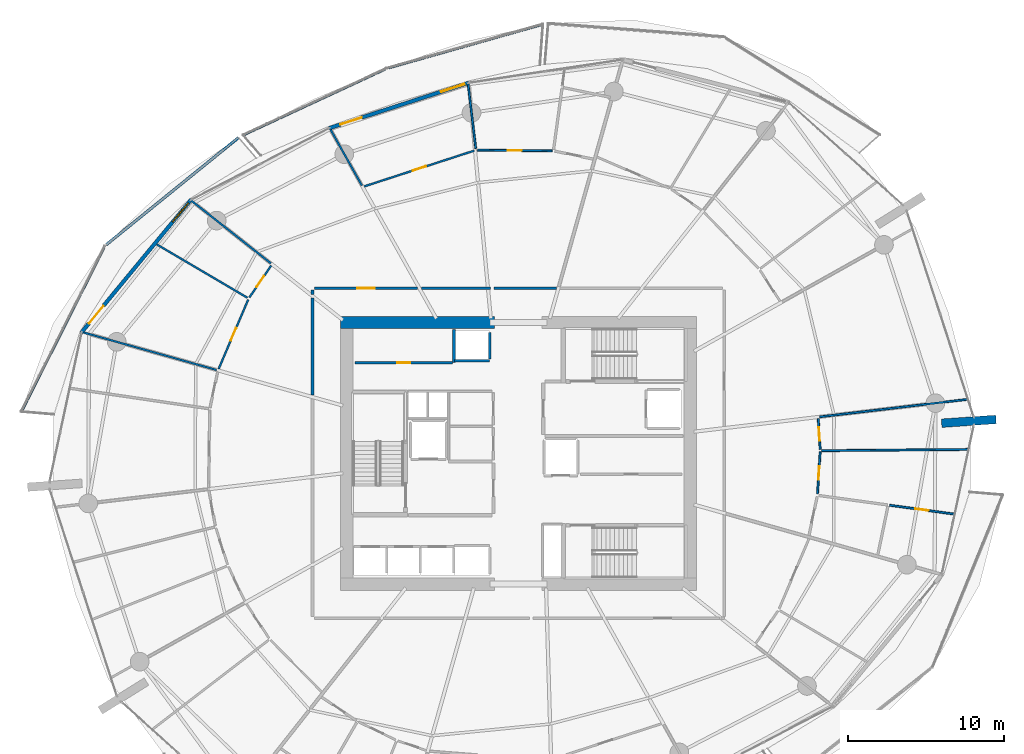
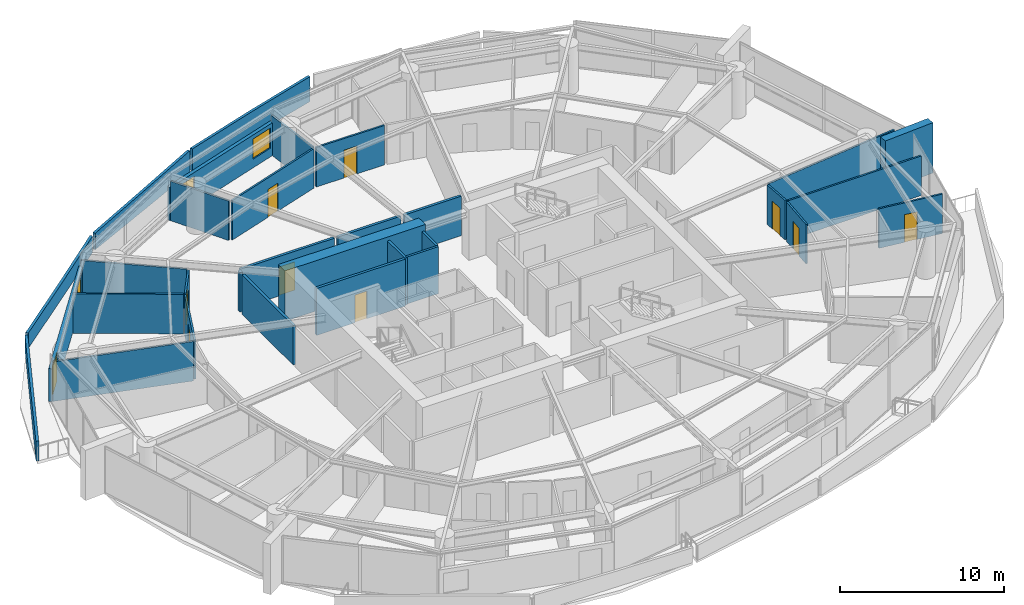
# One storey, part 14 of 22: 31 walls, 11 doors, 2 windows, 13 openings.
"""IFC4 building model written with IfcOpenShell, lengths in metres."""

from ifc_helpers import new_model, si_unit, direction, frame, frame_2d, origin, place, context, subcontext, project, spatial, polyline, rectangle, outline, extrude, material, layer, layer_set, type_object, element, fill, save


model = new_model("IFC4")

# Units and contexts
model_context = context("Model", 3, precision=1e-05, world=origin(), true_north=direction((0.0, 1.0)))
body_context = subcontext(model_context, "Body", "Model", "MODEL_VIEW")
ifc_project = project(units=[si_unit("LENGTHUNIT", "METRE"), si_unit("AREAUNIT", "SQUARE_METRE"), si_unit("VOLUMEUNIT", "CUBIC_METRE"), si_unit("PLANEANGLEUNIT", "RADIAN"), si_unit("MASSUNIT", "GRAM", prefix="KILO")], contexts=[model_context])

# Site, building, storey
site_placement = place(None, origin())
site = spatial("IfcSite", under=ifc_project, at=site_placement, CompositionType="ELEMENT")
building_placement = place(site_placement, origin())
building = spatial("IfcBuilding", under=site, at=building_placement, Name="Kazma Halo Residences", CompositionType="ELEMENT")
storey_placement = place(building_placement, frame((0.0, 0.0, 93.89990234375)))
storey = spatial("IfcBuildingStorey", under=building, at=storey_placement, Name="L23", CompositionType="ELEMENT", Elevation=93.89990234375)

# Walls
ifc_material_1 = material(Name="White Concrete C50/60 Balustrade", Category="concrete")
ifc_layer_1 = layer(ifc_material_1, 0.179931640625)
ifc_layer_set_1 = layer_set([ifc_layer_1], Name="White Concrete C50/60 Balustrade")
wall_type_1 = type_object("IfcWallType", Name="WL-BAL-WAVE-180", PredefinedType="PARAPET", material=ifc_layer_set_1)
wall_1_placement = place(storey_placement, frame((50.0, 69.56396484375, 0.0), z_axis=(0.0, 0.0, 1.0), x_axis=(-0.962322473133, -0.271910753195, 0.0)))
element("IfcWall", 1, at=wall_1_placement, inside=storey, type_object=wall_type_1, Name="L23 white wave balustrade wall NNW.1", PredefinedType="PARAPET", context=body_context, shape_type="SweptSolid", body=[
    extrude(outline(polyline([(0.0, 0.0), (10.3076171875, 0.0), (10.3076171875, 1.632080078125), (5.15380859375, 1.798095703125), (0.0, 1.860107421875), (0.0, 0.0)])), frame((0.0, 0.08984375, 0.0), z_axis=(0.0, -1.0, 0.0), x_axis=(1.0, 0.0, 0.0)), (0.0, 0.0, 1.0), 0.179931640625),
])
wall_2_placement = place(storey_placement, frame((39.8564453125, 66.67822265625, 0.0), z_axis=(0.0, 0.0, 1.0), x_axis=(-0.907065674135, -0.420989148086, 0.0)))
element("IfcWall", 2, at=wall_2_placement, inside=storey, type_object=wall_type_1, Name="L23 white wave balustrade wall NNW.2", PredefinedType="PARAPET", context=body_context, shape_type="SweptSolid", body=[
    extrude(outline(polyline([(0.0, 0.0), (10.041259765625, 0.0), (10.04150390625, 1.233154296875), (5.020751953125, 1.418212890625), (0.0, 1.632080078125), (0.0, 0.0)])), frame((0.0, 0.08984375, 0.0), z_axis=(0.0, -1.0, 0.0), x_axis=(1.0, 0.0, 0.0)), (0.0, 0.0, 1.0), 0.179931640625),
])
wall_3_placement = place(storey_placement, frame((30.458984375, 62.285400390625, 0.0), z_axis=(0.0, 0.0, 1.0), x_axis=(-0.777242274281, -0.629201436005, 0.0)))
element("IfcWall", 3, at=wall_3_placement, inside=storey, type_object=wall_type_1, Name="L23 white wave balustrade wall NW.1", PredefinedType="PARAPET", context=body_context, shape_type="SweptSolid", body=[
    extrude(outline(polyline([(0.0, 0.0), (10.94873046875, 0.0), (10.94873046875, 1.148193359375), (5.474365234375, 1.127197265625), (0.0, 1.22412109375), (0.0, 0.0)])), frame((0.0, 0.08984375, 0.0), z_axis=(0.0, -1.0, 0.0), x_axis=(1.0, 0.0, 0.0)), (0.0, 0.0, 1.0), 0.179931640625),
])
wall_4_placement = place(storey_placement, frame((21.8017578125, 55.2138671875, 0.0), z_axis=(0.0, 0.0, 1.0), x_axis=(-0.450016241305, -0.893020370743, 0.0)))
element("IfcWall", 4, at=wall_4_placement, inside=storey, type_object=wall_type_1, Name="L23 white wave balustrade wall NW.2", PredefinedType="PARAPET", context=body_context, shape_type="SweptSolid", body=[
    extrude(outline(polyline([(0.0, 0.0), (11.802978515625, 0.0), (11.802978515625, 1.483154296875), (5.901611328125, 1.2841796875), (0.0, 1.148193359375), (0.0, 0.0)])), frame((0.0, 0.08984375, 0.0), z_axis=(0.0, -1.0, 0.0), x_axis=(1.0, 0.0, 0.0)), (0.0, 0.0, 1.0), 0.179931640625),
])
ifc_material_2 = material(Name="Pale Concrete C60/75", Category="concrete")
ifc_layer_2 = layer(ifc_material_2, 0.550048828125)
ifc_layer_set_2 = layer_set([ifc_layer_2], Name="Pale Concrete C60/75")
wall_type_2 = type_object("IfcWallType", Name="WL-BLADE-550", PredefinedType="SOLIDWALL", material=ifc_layer_set_2)
wall_5_placement = place(storey_placement, frame((75.606201171875, 43.930419921875, 0.0), z_axis=(0.0, 0.0, 1.0), x_axis=(0.997564163539, 0.069754853754, 0.0)))
element("IfcWall", 5, at=wall_5_placement, inside=storey, type_object=wall_type_2, Name="L23 pale concrete structural blade fin wall BW-04", PredefinedType="SOLIDWALL", context=body_context, shape_type="SweptSolid", body=[
    extrude(rectangle(XDim=3.5, YDim=0.550048828125, at=frame_2d((1.75, 0.0))), origin(), (0.0, 0.0, 1.0), 3.75),
])
ifc_material_3 = material(Name="Concrete C80/95", Category="concrete")
ifc_layer_3 = layer(ifc_material_3, 0.800048828125)
ifc_layer_set_3 = layer_set([ifc_layer_3], Name="Concrete C80/95")
wall_type_3 = type_object("IfcWallType", Name="WL-CORE-800", PredefinedType="SHEAR", material=ifc_layer_set_3)
wall_6_placement = place(storey_placement, frame((37.0, 50.39990234375, 0.0), z_axis=(0.0, 0.0, 1.0), x_axis=(1.0, 0.0, 0.0)))
element("IfcWall", 6, at=wall_6_placement, inside=storey, type_object=wall_type_3, Name="L23 central core shear wall NW", PredefinedType="SHEAR", context=body_context, shape_type="SweptSolid", body=[
    extrude(rectangle(XDim=9.89990234375, YDim=0.800048828125, at=frame_2d((4.949951171875, 0.0))), origin(), (0.0, 0.0, 1.0), 3.75),
])

# Wall, opening, door
ifc_material_4 = material(Name="Acoustic Twin-Stud Gypsum")
ifc_layer_4 = layer(ifc_material_4, 0.179931640625)
ifc_layer_set_4 = layer_set([ifc_layer_4], Name="Acoustic Twin-Stud Gypsum")
wall_type_4 = type_object("IfcWallType", Name="WL-DEM-180", PredefinedType="PARTITIONING", material=ifc_layer_set_4)
wall_7_placement = place(storey_placement, frame((41.943603515625, 52.60009765625, 0.0), z_axis=(0.0, 0.0, 1.0), x_axis=(-1.0, 0.0, 0.0)))
wall_7 = element("IfcWall", 7, at=wall_7_placement, inside=storey, type_object=wall_type_4, Name="L23 Apartment 1 entrance corridor wall", PredefinedType="PARTITIONING", context=body_context, shape_type="SweptSolid", body=[
    extrude(rectangle(XDim=6.62353515625, YDim=0.179931640625, at=frame_2d((3.311767578125, 0.0))), origin(), (0.0, 0.0, 1.0), 2.940185546875),
])
opening_1_placement = place(wall_7_placement, frame((2.76171875, 0.0, 0.0)))
opening_1 = element("IfcOpeningElement", 8, at=opening_1_placement, cuts=wall_7, Name="Opening DA-1100", PredefinedType="OPENING", context=body_context, shape_type="SweptSolid", body=[
    extrude(rectangle(XDim=1.10009765625, YDim=2.10009765625, at=frame_2d((0.550048828125, 1.050048828125))), frame((0.0, 0.099853515625, 0.0), z_axis=(0.0, -1.0, 0.0), x_axis=(1.0, 0.0, 0.0)), (0.0, 0.0, 1.0), 0.199951171875),
])
ifc_material_5 = material(Name="Acoustic Walnut Fire Leaf")
door_type_1 = type_object("IfcDoorType", Name="DR-FD60-1100", OperationType="NOTDEFINED", PredefinedType="DOOR", material=ifc_material_5)
door_1_placement = place(opening_1_placement, origin())
door_1 = element("IfcDoor", 9, at=door_1_placement, inside=storey, type_object=door_type_1, Name="L23 Apartment 1 entrance fire door", OperationType="SINGLE_SWING_LEFT", OverallHeight=2.10009765625, OverallWidth=1.10009765625, PredefinedType="DOOR", context=body_context, shape_type="SweptSolid", body=[
    extrude(rectangle(XDim=1.10009765625, YDim=2.10009765625, at=frame_2d((0.550048828125, 1.050048828125))), frame((0.0, 0.02490234375, 0.0), z_axis=(0.0, -1.0, 0.0), x_axis=(1.0, 0.0, 0.0)), (0.0, 0.0, 1.0), 0.050048828125),
])
fill(opening_1, door_1)

# Walls
wall_8_placement = place(storey_placement, frame((35.199951171875, 52.47998046875, 0.0), z_axis=(0.0, 0.0, 1.0), x_axis=(0.0, -1.0, 0.0)))
element("IfcWall", 10, at=wall_8_placement, inside=storey, type_object=wall_type_4, Name="L23 Apartment 1 entrance corridor wall", PredefinedType="PARTITIONING", context=body_context, shape_type="SweptSolid", body=[
    extrude(rectangle(XDim=0.269287109375, YDim=0.179931640625, at=frame_2d((0.134765625, 0.0))), origin(), (0.0, 0.0, 1.0), 2.940185546875),
])
wall_9_placement = place(storey_placement, frame((50.869384765625, 52.60009765625, 0.0), z_axis=(0.0, 0.0, 1.0), x_axis=(-1.0, 0.0, 0.0)))
element("IfcWall", 11, at=wall_9_placement, inside=storey, type_object=wall_type_4, Name="L23 Apartment 1 inner wall 2", PredefinedType="PARTITIONING", context=body_context, shape_type="SweptSolid", body=[
    extrude(rectangle(XDim=4.00390625, YDim=0.179931640625, at=frame_2d((2.001953125, 0.0))), origin(), (0.0, 0.0, 1.0), 2.940185546875),
])
wall_10_placement = place(storey_placement, frame((46.62548828125, 52.60009765625, 0.0), z_axis=(0.0, 0.0, 1.0), x_axis=(-1.0, 0.0, 0.0)))
element("IfcWall", 12, at=wall_10_placement, inside=storey, type_object=wall_type_4, Name="L23 Apartment 1 inner wall 3", PredefinedType="PARTITIONING", context=body_context, shape_type="SweptSolid", body=[
    extrude(rectangle(XDim=4.44189453125, YDim=0.179931640625, at=frame_2d((2.220947265625, 0.0))), origin(), (0.0, 0.0, 1.0), 2.940185546875),
])
wall_11_placement = place(storey_placement, frame((35.199951171875, 51.970703125, 0.0), z_axis=(0.0, 0.0, 1.0), x_axis=(0.0, -1.0, 0.0)))
element("IfcWall", 13, at=wall_11_placement, inside=storey, type_object=wall_type_4, Name="L23 Apartment 1 inner wall 5", PredefinedType="PARTITIONING", context=body_context, shape_type="SweptSolid", body=[
    extrude(rectangle(XDim=6.24072265625, YDim=0.179931640625, at=frame_2d((3.120361328125, 0.0))), origin(), (0.0, 0.0, 1.0), 2.940185546875),
])

# Wall, openings, door, window
ifc_material_6 = material(Name="Insulated Pale-Metal Composite Wall")
ifc_layer_5 = layer(ifc_material_6, 0.239990234375)
ifc_layer_set_5 = layer_set([ifc_layer_5], Name="Insulated Pale-Metal Composite Wall")
wall_type_5 = type_object("IfcWallType", Name="WL-EXT-HOST-240", PredefinedType="SOLIDWALL", material=ifc_layer_set_5)
wall_12_placement = place(storey_placement, frame((45.23291015625, 65.797119140625, 0.0), z_axis=(0.0, 0.0, 1.0), x_axis=(-0.951052494852, -0.30902937083, 0.0)))
wall_12 = element("IfcWall", 14, at=wall_12_placement, inside=storey, type_object=wall_type_5, Name="L23 exterior terrace-access wall B04", PredefinedType="SOLIDWALL", context=body_context, shape_type="SweptSolid", body=[
    extrude(rectangle(XDim=9.44384765625, YDim=0.239990234375, at=frame_2d((4.721923828125, 0.0))), origin(), (0.0, 0.0, 1.0), 2.4501953125),
])
opening_2_placement = place(wall_12_placement, frame((7.223876953125, 0.0, 0.0)))
opening_2 = element("IfcOpeningElement", 15, at=opening_2_placement, cuts=wall_12, Name="Opening DTR-1600", PredefinedType="OPENING", context=body_context, shape_type="SweptSolid", body=[
    extrude(rectangle(XDim=1.449951171875, YDim=2.14990234375, at=frame_2d((0.72509765625, 1.074951171875))), frame((0.0, 0.1298828125, 0.0), z_axis=(0.0, -1.0, 0.0), x_axis=(1.0, 0.0, 0.0)), (0.0, 0.0, 1.0), 0.260009765625),
])
opening_3_placement = place(wall_12_placement, frame((0.280029296875, 0.0, 0.64990234375)))
opening_3 = element("IfcOpeningElement", 16, at=opening_3_placement, cuts=wall_12, Name="Opening W-1800", PredefinedType="OPENING", context=body_context, shape_type="SweptSolid", body=[
    extrude(rectangle(XDim=1.60009765625, YDim=1.5, at=frame_2d((0.800048828125, 0.75))), frame((0.0, 0.1298828125, 0.0), z_axis=(0.0, -1.0, 0.0), x_axis=(1.0, 0.0, 0.0)), (0.0, 0.0, 1.0), 0.260009765625),
])
ifc_material_7 = material(Name="Aluminium AW-6063 T6 Double-Glazed Terrace Door", Category="aluminium")
door_type_2 = type_object("IfcDoorType", Name="DR-EXT-TERR-1600", OperationType="NOTDEFINED", PredefinedType="DOOR", material=ifc_material_7)
door_2_placement = place(opening_2_placement, origin())
door_2 = element("IfcDoor", 17, at=door_2_placement, inside=storey, type_object=door_type_2, Name="L23 B04 balcony terrace door", OperationType="DOUBLE_DOOR_SLIDING", OverallHeight=2.14990234375, OverallWidth=1.449951171875, PredefinedType="DOOR", context=body_context, shape_type="SweptSolid", body=[
    extrude(rectangle(XDim=1.449951171875, YDim=2.14990234375, at=frame_2d((0.72509765625, 1.074951171875))), frame((0.0, 0.02490234375, 0.0), z_axis=(0.0, -1.0, 0.0), x_axis=(1.0, 0.0, 0.0)), (0.0, 0.0, 1.0), 0.050048828125),
])
fill(opening_2, door_2)
ifc_material_8 = material(Name="Clear Triple-Silver Low-E Glass in Aluminium AW-6063 T6 Frame", Category="aluminium")
window_type = type_object("IfcWindowType", Name="WIN-RES-1800", PartitioningType="DOUBLE_PANEL_VERTICAL", PredefinedType="WINDOW", material=ifc_material_8)
window_1_placement = place(opening_3_placement, origin())
window_1 = element("IfcWindow", 18, at=window_1_placement, inside=storey, type_object=window_type, Name="L23 B04 apartment window", OverallHeight=1.5, OverallWidth=1.60009765625, PartitioningType="SINGLE_PANEL", PredefinedType="WINDOW", context=body_context, shape_type="SweptSolid", body=[
    extrude(rectangle(XDim=1.60009765625, YDim=1.5, at=frame_2d((0.800048828125, 0.75))), frame((0.0, 0.030029296875, 0.0), z_axis=(0.0, -1.0, 0.0), x_axis=(1.0, 0.0, 0.0)), (0.0, 0.0, 1.0), 0.06005859375),
])
fill(opening_3, window_1)

wall_13_placement = place(storey_placement, frame((27.406982421875, 58.2978515625, 0.0), z_axis=(0.0, 0.0, 1.0), x_axis=(-0.636704975, -0.771107498868, 0.0)))
wall_13 = element("IfcWall", 19, at=wall_13_placement, inside=storey, type_object=wall_type_5, Name="L23 exterior terrace-access wall B06", PredefinedType="SOLIDWALL", context=body_context, shape_type="SweptSolid", body=[
    extrude(rectangle(XDim=11.084228515625, YDim=0.239990234375, at=frame_2d((5.5419921875, 0.0))), origin(), (0.0, 0.0, 1.0), 2.4501953125),
])
opening_4_placement = place(wall_13_placement, frame((8.8642578125, 0.0, 0.0)))
opening_4 = element("IfcOpeningElement", 20, at=opening_4_placement, cuts=wall_13, Name="Opening DTR-1600", PredefinedType="OPENING", context=body_context, shape_type="SweptSolid", body=[
    extrude(rectangle(XDim=1.449951171875, YDim=2.14990234375, at=frame_2d((0.72509765625, 1.074951171875))), frame((0.0, 0.1298828125, 0.0), z_axis=(0.0, -1.0, 0.0), x_axis=(1.0, 0.0, 0.0)), (0.0, 0.0, 1.0), 0.260009765625),
])
opening_5_placement = place(wall_13_placement, frame((0.280029296875, 0.0, 0.64990234375)))
opening_5 = element("IfcOpeningElement", 21, at=opening_5_placement, cuts=wall_13, Name="Opening W-1800", PredefinedType="OPENING", context=body_context, shape_type="SweptSolid", body=[
    extrude(rectangle(XDim=1.60009765625, YDim=1.5, at=frame_2d((0.800048828125, 0.75))), frame((0.0, 0.1298828125, 0.0), z_axis=(0.0, -1.0, 0.0), x_axis=(1.0, 0.0, 0.0)), (0.0, 0.0, 1.0), 0.260009765625),
])
door_3_placement = place(opening_4_placement, origin())
door_3 = element("IfcDoor", 22, at=door_3_placement, inside=storey, type_object=door_type_2, Name="L23 B06 balcony terrace door", OperationType="DOUBLE_DOOR_SLIDING", OverallHeight=2.14990234375, OverallWidth=1.449951171875, PredefinedType="DOOR", context=body_context, shape_type="SweptSolid", body=[
    extrude(rectangle(XDim=1.449951171875, YDim=2.14990234375, at=frame_2d((0.72509765625, 1.074951171875))), frame((0.0, 0.02490234375, 0.0), z_axis=(0.0, -1.0, 0.0), x_axis=(1.0, 0.0, 0.0)), (0.0, 0.0, 1.0), 0.050048828125),
])
fill(opening_4, door_3)
window_2_placement = place(opening_5_placement, origin())
window_2 = element("IfcWindow", 23, at=window_2_placement, inside=storey, type_object=window_type, Name="L23 B06 apartment window", OverallHeight=1.5, OverallWidth=1.60009765625, PartitioningType="SINGLE_PANEL", PredefinedType="WINDOW", context=body_context, shape_type="SweptSolid", body=[
    extrude(rectangle(XDim=1.60009765625, YDim=1.5, at=frame_2d((0.800048828125, 0.75))), frame((0.0, 0.030029296875, 0.0), z_axis=(0.0, -1.0, 0.0), x_axis=(1.0, 0.0, 0.0)), (0.0, 0.0, 1.0), 0.06005859375),
])
fill(opening_5, window_2)

# Walls
ifc_material_9 = material(Name="Fire-Rated Blockwork Masonry", Category="masonry")
ifc_layer_6 = layer(ifc_material_9, 0.199951171875)
ifc_layer_set_6 = layer_set([ifc_layer_6], Name="Fire-Rated Blockwork Masonry")
wall_type_6 = type_object("IfcWallType", Name="WL-FLB-200", PredefinedType="PARTITIONING", material=ifc_layer_set_6)
wall_14_placement = place(storey_placement, frame((46.580078125, 47.945068359375, 0.0), z_axis=(0.0, 0.0, 1.0), x_axis=(-1.0, 0.0, 0.0)))
element("IfcWall", 24, at=wall_14_placement, inside=storey, type_object=wall_type_6, Name="L23 lift shaft PX-01 front wall", PredefinedType="PARTITIONING", context=body_context, shape_type="SweptSolid", body=[
    extrude(rectangle(XDim=2.260009765625, YDim=0.159912109375, at=frame_2d((1.1298828125, 0.0))), origin(), (0.0, 0.0, 1.0), 3.5),
])
wall_15_placement = place(storey_placement, frame((46.580078125, 48.044921875, 0.0), z_axis=(0.0, 0.0, 1.0), x_axis=(0.0, 1.0, 0.0)))
element("IfcWall", 25, at=wall_15_placement, inside=storey, type_object=wall_type_6, Name="L23 lift shaft PX-01 side wall E", PredefinedType="PARTITIONING", context=body_context, shape_type="SweptSolid", body=[
    extrude(rectangle(XDim=1.7099609375, YDim=0.159912109375, at=frame_2d((0.85498046875, 0.0))), origin(), (0.0, 0.0, 1.0), 3.5),
])

# Wall, opening, door
wall_16_placement = place(storey_placement, frame((37.919921875, 47.820068359375, 0.0), z_axis=(0.0, 0.0, 1.0), x_axis=(1.0, 0.0, 0.0)))
wall_16 = element("IfcWall", 26, at=wall_16_placement, inside=storey, type_object=wall_type_6, Name="L23 core north reserve wall", PredefinedType="PARTITIONING", context=body_context, shape_type="SweptSolid", body=[
    extrude(rectangle(XDim=6.260009765625, YDim=0.179931640625, at=frame_2d((3.1298828125, 0.0))), origin(), (0.0, 0.0, 1.0), 3.5),
])
opening_6_placement = place(wall_16_placement, frame((2.705078125, 0.0, 0.0)))
opening_6 = element("IfcOpeningElement", 27, at=opening_6_placement, cuts=wall_16, Name="Opening DS-850", PredefinedType="OPENING", context=body_context, shape_type="SweptSolid", body=[
    extrude(rectangle(XDim=0.85009765625, YDim=2.06005859375, at=frame_2d((0.425048828125, 1.030029296875))), frame((0.0, 0.099853515625, 0.0), z_axis=(0.0, -1.0, 0.0), x_axis=(1.0, 0.0, 0.0)), (0.0, 0.0, 1.0), 0.199951171875),
])
ifc_material_10 = material(Name="Painted Steel Access Leaf", Category="steel")
door_type_3 = type_object("IfcDoorType", Name="DR-SVC-850", OperationType="NOTDEFINED", PredefinedType="DOOR", material=ifc_material_10)
door_4_placement = place(opening_6_placement, origin())
door_4 = element("IfcDoor", 28, at=door_4_placement, inside=storey, type_object=door_type_3, Name="L23 core north reserve door", OperationType="SINGLE_SWING_LEFT", OverallHeight=2.06005859375, OverallWidth=0.85009765625, PredefinedType="DOOR", context=body_context, shape_type="SweptSolid", body=[
    extrude(rectangle(XDim=0.85009765625, YDim=2.06005859375, at=frame_2d((0.425048828125, 1.030029296875))), frame((0.0, 0.02490234375, 0.0), z_axis=(0.0, -1.0, 0.0), x_axis=(1.0, 0.0, 0.0)), (0.0, 0.0, 1.0), 0.050048828125),
])
fill(opening_6, door_4)

# Wall
wall_17_placement = place(storey_placement, frame((44.280029296875, 47.820068359375, 0.0), z_axis=(0.0, 0.0, 1.0), x_axis=(0.0, 1.0, 0.0)))
element("IfcWall", 29, at=wall_17_placement, inside=storey, type_object=wall_type_6, Name="L23 PX-01 hoistway west wall", PredefinedType="PARTITIONING", context=body_context, shape_type="SweptSolid", body=[
    extrude(rectangle(XDim=2.1298828125, YDim=0.179931640625, at=frame_2d((1.06494140625, 0.0))), origin(), (0.0, 0.0, 1.0), 3.5),
])

# Wall, opening, door
ifc_material_11 = material(Name="Gypsum Plasterboard Partition")
ifc_layer_7 = layer(ifc_material_11, 0.125)
ifc_layer_set_7 = layer_set([ifc_layer_7], Name="Gypsum Plasterboard Partition")
wall_type_7 = type_object("IfcWallType", Name="WL-PART-125", PredefinedType="PARTITIONING", material=ifc_layer_set_7)
wall_18_placement = place(storey_placement, frame((50.581298828125, 61.427001953125, 0.0), z_axis=(0.0, 0.0, 1.0), x_axis=(-0.999955475908, 0.009436429455, 0.0)))
wall_18 = element("IfcWall", 30, at=wall_18_placement, inside=storey, type_object=wall_type_7, Name="L23 Apartment 1 Gourmet Kitchen hall wall", PredefinedType="PARTITIONING", context=body_context, shape_type="SweptSolid", body=[
    extrude(rectangle(XDim=4.786376953125, YDim=0.125, at=frame_2d((2.39306640625, 0.0))), origin(), (0.0, 0.0, 1.0), 2.940185546875),
])
opening_7_placement = place(wall_18_placement, frame((1.943115234375, 0.0, 0.0)))
opening_7 = element("IfcOpeningElement", 31, at=opening_7_placement, cuts=wall_18, Name="Opening DI-950", PredefinedType="OPENING", context=body_context, shape_type="SweptSolid", body=[
    extrude(rectangle(XDim=0.89990234375, YDim=2.080078125, at=frame_2d((0.449951171875, 1.0400390625))), frame((0.0, 0.072509765625, 0.0), z_axis=(0.0, -1.0, 0.0), x_axis=(1.0, 0.0, 0.0)), (0.0, 0.0, 1.0), 0.14501953125),
])
ifc_material_12 = material(Name="Timber Veneer Flush Leaf", Category="wood")
door_type_4 = type_object("IfcDoorType", Name="DR-INT-950", OperationType="NOTDEFINED", PredefinedType="DOOR", material=ifc_material_12)
door_5_placement = place(opening_7_placement, origin())
door_5 = element("IfcDoor", 32, at=door_5_placement, inside=storey, type_object=door_type_4, Name="L23 Apartment 1 Gourmet Kitchen door", OperationType="SINGLE_SWING_RIGHT", OverallHeight=2.080078125, OverallWidth=0.89990234375, PredefinedType="DOOR", context=body_context, shape_type="SweptSolid", body=[
    extrude(rectangle(XDim=0.89990234375, YDim=2.080078125, at=frame_2d((0.449951171875, 1.0400390625))), frame((0.0, 0.02490234375, 0.0), z_axis=(0.0, -1.0, 0.0), x_axis=(1.0, 0.0, 0.0)), (0.0, 0.0, 1.0), 0.050048828125),
])
fill(opening_7, door_5)

# Walls
wall_19_placement = place(storey_placement, frame((45.683349609375, 61.572509765625, 0.0), z_axis=(0.0, 0.0, 1.0), x_axis=(-0.117513626782, 0.993071270111, 0.0)))
element("IfcWall", 33, at=wall_19_placement, inside=storey, type_object=wall_type_7, Name="L23 Apartment 1 radial partition 3", PredefinedType="PARTITIONING", context=body_context, shape_type="SweptSolid", body=[
    extrude(rectangle(XDim=4.21337890625, YDim=0.125, at=frame_2d((2.106689453125, 0.0))), origin(), (0.0, 0.0, 1.0), 2.940185546875),
])
wall_20_placement = place(storey_placement, frame((38.36962890625, 59.196044921875, 0.0), z_axis=(0.0, 0.0, 1.0), x_axis=(-0.488603368932, 0.87250601595, 0.0)))
element("IfcWall", 34, at=wall_20_placement, inside=storey, type_object=wall_type_7, Name="L23 Apartment 1 living radial partition 3", PredefinedType="PARTITIONING", context=body_context, shape_type="SweptSolid", body=[
    extrude(rectangle(XDim=4.11328125, YDim=0.125, at=frame_2d((2.056640625, 0.0))), origin(), (0.0, 0.0, 1.0), 2.940185546875),
])

# Wall, opening, door
wall_21_placement = place(storey_placement, frame((45.590576171875, 61.439208984375, 0.0), z_axis=(0.0, 0.0, 1.0), x_axis=(-0.95105434732, -0.309023669714, 0.0)))
wall_21 = element("IfcWall", 35, at=wall_21_placement, inside=storey, type_object=wall_type_7, Name="L23 Apartment 1 East Formal Dining Room gallery wall", PredefinedType="PARTITIONING", context=body_context, shape_type="SweptSolid", body=[
    extrude(rectangle(XDim=7.43115234375, YDim=0.125, at=frame_2d((3.715576171875, 0.0))), origin(), (0.0, 0.0, 1.0), 2.940185546875),
])
opening_8_placement = place(wall_21_placement, frame((3.265380859375, 0.0, 0.0)))
opening_8 = element("IfcOpeningElement", 36, at=opening_8_placement, cuts=wall_21, Name="Opening DI-950", PredefinedType="OPENING", context=body_context, shape_type="SweptSolid", body=[
    extrude(rectangle(XDim=0.89990234375, YDim=2.080078125, at=frame_2d((0.449951171875, 1.0400390625))), frame((0.0, 0.072509765625, 0.0), z_axis=(0.0, -1.0, 0.0), x_axis=(1.0, 0.0, 0.0)), (0.0, 0.0, 1.0), 0.14501953125),
])
door_6_placement = place(opening_8_placement, origin())
door_6 = element("IfcDoor", 37, at=door_6_placement, inside=storey, type_object=door_type_4, Name="L23 Apartment 1 East Formal Dining Room door", OperationType="SINGLE_SWING_LEFT", OverallHeight=2.080078125, OverallWidth=0.89990234375, PredefinedType="DOOR", context=body_context, shape_type="SweptSolid", body=[
    extrude(rectangle(XDim=0.89990234375, YDim=2.080078125, at=frame_2d((0.449951171875, 1.0400390625))), frame((0.0, 0.02490234375, 0.0), z_axis=(0.0, -1.0, 0.0), x_axis=(1.0, 0.0, 0.0)), (0.0, 0.0, 1.0), 0.050048828125),
])
fill(opening_8, door_6)

# Walls
wall_22_placement = place(storey_placement, frame((32.522216796875, 54.20166015625, 0.0), z_axis=(0.0, 0.0, 1.0), x_axis=(-0.785296086335, 0.619120389574, 0.0)))
element("IfcWall", 38, at=wall_22_placement, inside=storey, type_object=wall_type_7, Name="L23 Apartment 1 radial partition 5", PredefinedType="PARTITIONING", context=body_context, shape_type="SweptSolid", body=[
    extrude(rectangle(XDim=6.529052734375, YDim=0.125, at=frame_2d((3.2646484375, 0.0))), origin(), (0.0, 0.0, 1.0), 2.940185546875),
])
wall_23_placement = place(storey_placement, frame((31.0205078125, 51.987548828125, 0.0), z_axis=(0.0, 0.0, 1.0), x_axis=(-0.86191844443, 0.507046935846, 0.0)))
element("IfcWall", 39, at=wall_23_placement, inside=storey, type_object=wall_type_7, Name="L23 Apartment 1 mid-bay wall 5", PredefinedType="PARTITIONING", context=body_context, shape_type="SweptSolid", body=[
    extrude(rectangle(XDim=6.765380859375, YDim=0.125, at=frame_2d((3.3828125, 0.0))), origin(), (0.0, 0.0, 1.0), 2.940185546875),
])

# Wall, opening, door
wall_24_placement = place(storey_placement, frame((32.544189453125, 54.05712890625, 0.0), z_axis=(0.0, 0.0, 1.0), x_axis=(-0.564377111566, -0.825517096092, 0.0)))
wall_24 = element("IfcWall", 40, at=wall_24_placement, inside=storey, type_object=wall_type_7, Name="L23 Apartment 1 West Dressing Wardrobe hall wall", PredefinedType="PARTITIONING", context=body_context, shape_type="SweptSolid", body=[
    extrude(rectangle(XDim=2.482177734375, YDim=0.125, at=frame_2d((1.2412109375, 0.0))), origin(), (0.0, 0.0, 1.0), 2.940185546875),
])
opening_9_placement = place(wall_24_placement, frame((0.816162109375, 0.0, 0.0)))
opening_9 = element("IfcOpeningElement", 41, at=opening_9_placement, cuts=wall_24, Name="Opening DB-900", PredefinedType="OPENING", context=body_context, shape_type="SweptSolid", body=[
    extrude(rectangle(XDim=0.85009765625, YDim=2.06005859375, at=frame_2d((0.425048828125, 1.030029296875))), frame((0.0, 0.072509765625, 0.0), z_axis=(0.0, -1.0, 0.0), x_axis=(1.0, 0.0, 0.0)), (0.0, 0.0, 1.0), 0.14501953125),
])
ifc_material_13 = material(Name="Moisture-Sealed Timber Leaf", Category="wood")
door_type_5 = type_object("IfcDoorType", Name="DR-BTH-900", OperationType="NOTDEFINED", PredefinedType="DOOR", material=ifc_material_13)
door_7_placement = place(opening_9_placement, origin())
door_7 = element("IfcDoor", 42, at=door_7_placement, inside=storey, type_object=door_type_5, Name="L23 Apartment 1 West Dressing Wardrobe door", OperationType="SINGLE_SWING_LEFT", OverallHeight=2.06005859375, OverallWidth=0.85009765625, PredefinedType="DOOR", context=body_context, shape_type="SweptSolid", body=[
    extrude(rectangle(XDim=0.85009765625, YDim=2.06005859375, at=frame_2d((0.425048828125, 1.030029296875))), frame((0.0, 0.02490234375, 0.0), z_axis=(0.0, -1.0, 0.0), x_axis=(1.0, 0.0, 0.0)), (0.0, 0.0, 1.0), 0.050048828125),
])
fill(opening_9, door_7)

wall_25_placement = place(storey_placement, frame((31.06689453125, 51.868408203125, 0.0), z_axis=(0.0, 0.0, 1.0), x_axis=(-0.392470533914, -0.919764578579, 0.0)))
wall_25 = element("IfcWall", 43, at=wall_25_placement, inside=storey, type_object=wall_type_7, Name="L23 Apartment 1 North Master Bedroom hall wall", PredefinedType="PARTITIONING", context=body_context, shape_type="SweptSolid", body=[
    extrude(rectangle(XDim=4.842041015625, YDim=0.125, at=frame_2d((2.4208984375, 0.0))), origin(), (0.0, 0.0, 1.0), 2.940185546875),
])
opening_10_placement = place(wall_25_placement, frame((1.97119140625, 0.0, 0.0)))
opening_10 = element("IfcOpeningElement", 44, at=opening_10_placement, cuts=wall_25, Name="Opening DI-950", PredefinedType="OPENING", context=body_context, shape_type="SweptSolid", body=[
    extrude(rectangle(XDim=0.89990234375, YDim=2.080078125, at=frame_2d((0.449951171875, 1.0400390625))), frame((0.0, 0.072509765625, 0.0), z_axis=(0.0, -1.0, 0.0), x_axis=(1.0, 0.0, 0.0)), (0.0, 0.0, 1.0), 0.14501953125),
])
door_8_placement = place(opening_10_placement, origin())
door_8 = element("IfcDoor", 45, at=door_8_placement, inside=storey, type_object=door_type_4, Name="L23 Apartment 1 North Master Bedroom door", OperationType="SINGLE_SWING_RIGHT", OverallHeight=2.080078125, OverallWidth=0.89990234375, PredefinedType="DOOR", context=body_context, shape_type="SweptSolid", body=[
    extrude(rectangle(XDim=0.89990234375, YDim=2.080078125, at=frame_2d((0.449951171875, 1.0400390625))), frame((0.0, 0.02490234375, 0.0), z_axis=(0.0, -1.0, 0.0), x_axis=(1.0, 0.0, 0.0)), (0.0, 0.0, 1.0), 0.050048828125),
])
fill(opening_10, door_8)

# Walls
wall_26_placement = place(storey_placement, frame((29.031005859375, 47.349853515625, 0.0), z_axis=(0.0, 0.0, 1.0), x_axis=(-0.962455027906, 0.271441189317, 0.0)))
element("IfcWall", 46, at=wall_26_placement, inside=storey, type_object=wall_type_7, Name="L23 Apartment 1 radial partition 6", PredefinedType="PARTITIONING", context=body_context, shape_type="SweptSolid", body=[
    extrude(rectangle(XDim=8.862060546875, YDim=0.125, at=frame_2d((4.43115234375, 0.0))), origin(), (0.0, 0.0, 1.0), 2.940185546875),
])
wall_27_placement = place(storey_placement, frame((67.77392578125, 44.340576171875, 0.0), z_axis=(0.0, 0.0, 1.0), x_axis=(0.993071471329, 0.117511926341, 0.0)))
element("IfcWall", 47, at=wall_27_placement, inside=storey, type_object=wall_type_7, Name="L23 Apartment 3 living radial partition 14", PredefinedType="PARTITIONING", context=body_context, shape_type="SweptSolid", body=[
    extrude(rectangle(XDim=9.5673828125, YDim=0.125, at=frame_2d((4.78369140625, 0.0))), origin(), (0.0, 0.0, 1.0), 2.940185546875),
])

# Wall, opening, door
wall_28_placement = place(storey_placement, frame((72.263671875, 38.663330078125, 0.0), z_axis=(0.0, 0.0, 1.0), x_axis=(0.990677467282, -0.136228322381, 0.0)))
wall_28 = element("IfcWall", 48, at=wall_28_placement, inside=storey, type_object=wall_type_7, Name="L23 Apartment 3 Utility Laundry Room partition wall", PredefinedType="PARTITIONING", context=body_context, shape_type="SweptSolid", body=[
    extrude(rectangle(XDim=4.20068359375, YDim=0.125, at=frame_2d((2.100341796875, 0.0))), origin(), (0.0, 0.0, 1.0), 2.940185546875),
])
opening_11_placement = place(wall_28_placement, frame((1.67529296875, 0.0, 0.0)))
opening_11 = element("IfcOpeningElement", 49, at=opening_11_placement, cuts=wall_28, Name="Opening DB-900", PredefinedType="OPENING", context=body_context, shape_type="SweptSolid", body=[
    extrude(rectangle(XDim=0.85009765625, YDim=2.06005859375, at=frame_2d((0.425048828125, 1.030029296875))), frame((0.0, 0.072509765625, 0.0), z_axis=(0.0, -1.0, 0.0), x_axis=(1.0, 0.0, 0.0)), (0.0, 0.0, 1.0), 0.14501953125),
])
door_9_placement = place(opening_11_placement, origin())
door_9 = element("IfcDoor", 50, at=door_9_placement, inside=storey, type_object=door_type_5, Name="L23 Apartment 3 Utility Laundry Room door", OperationType="SINGLE_SWING_LEFT", OverallHeight=2.06005859375, OverallWidth=0.85009765625, PredefinedType="DOOR", context=body_context, shape_type="SweptSolid", body=[
    extrude(rectangle(XDim=0.85009765625, YDim=2.06005859375, at=frame_2d((0.425048828125, 1.030029296875))), frame((0.0, 0.02490234375, 0.0), z_axis=(0.0, -1.0, 0.0), x_axis=(1.0, 0.0, 0.0)), (0.0, 0.0, 1.0), 0.050048828125),
])
fill(opening_11, door_9)

# Wall
wall_29_placement = place(storey_placement, frame((67.9013671875, 42.1669921875, 0.0), z_axis=(0.0, 0.0, 1.0), x_axis=(0.999964927596, 0.008375176238, 0.0)))
element("IfcWall", 51, at=wall_29_placement, inside=storey, type_object=wall_type_7, Name="L23 Apartment 3 suite divider 14", PredefinedType="PARTITIONING", context=body_context, shape_type="SweptSolid", body=[
    extrude(rectangle(XDim=9.41552734375, YDim=0.125, at=frame_2d((4.707763671875, 0.0))), origin(), (0.0, 0.0, 1.0), 2.940185546875),
])

# Wall, opening, door
wall_30_placement = place(storey_placement, frame((67.633056640625, 39.390625, 0.0), z_axis=(0.0, 0.0, 1.0), x_axis=(0.064077427582, 0.997944929981, 0.0)))
wall_30 = element("IfcWall", 52, at=wall_30_placement, inside=storey, type_object=wall_type_7, Name="L23 Apartment 3 Gourmet Kitchen hall wall", PredefinedType="PARTITIONING", context=body_context, shape_type="SweptSolid", body=[
    extrude(rectangle(XDim=2.701416015625, YDim=0.125, at=frame_2d((1.3505859375, 0.0))), origin(), (0.0, 0.0, 1.0), 2.940185546875),
])
opening_12_placement = place(wall_30_placement, frame((0.925537109375, 0.0, 0.0)))
opening_12 = element("IfcOpeningElement", 53, at=opening_12_placement, cuts=wall_30, Name="Opening DB-900", PredefinedType="OPENING", context=body_context, shape_type="SweptSolid", body=[
    extrude(rectangle(XDim=0.85009765625, YDim=2.06005859375, at=frame_2d((0.425048828125, 1.030029296875))), frame((0.0, 0.072509765625, 0.0), z_axis=(0.0, -1.0, 0.0), x_axis=(1.0, 0.0, 0.0)), (0.0, 0.0, 1.0), 0.14501953125),
])
door_10_placement = place(opening_12_placement, origin())
door_10 = element("IfcDoor", 54, at=door_10_placement, inside=storey, type_object=door_type_5, Name="L23 Apartment 3 Gourmet Kitchen door", OperationType="SINGLE_SWING_RIGHT", OverallHeight=2.06005859375, OverallWidth=0.85009765625, PredefinedType="DOOR", context=body_context, shape_type="SweptSolid", body=[
    extrude(rectangle(XDim=0.85009765625, YDim=2.06005859375, at=frame_2d((0.425048828125, 1.030029296875))), frame((0.0, 0.02490234375, 0.0), z_axis=(0.0, -1.0, 0.0), x_axis=(1.0, 0.0, 0.0)), (0.0, 0.0, 1.0), 0.050048828125),
])
fill(opening_12, door_10)

wall_31_placement = place(storey_placement, frame((67.806396484375, 42.24609375, 0.0), z_axis=(0.0, 0.0, 1.0), x_axis=(-0.06315855722, 0.998003505329, 0.0)))
wall_31 = element("IfcWall", 55, at=wall_31_placement, inside=storey, type_object=wall_type_7, Name="L23 Apartment 3 Primary Bedroom hall wall", PredefinedType="PARTITIONING", context=body_context, shape_type="SweptSolid", body=[
    extrude(rectangle(XDim=1.98681640625, YDim=0.125, at=frame_2d((0.993408203125, 0.0))), origin(), (0.0, 0.0, 1.0), 2.940185546875),
])
opening_13_placement = place(wall_31_placement, frame((0.568359375, 0.0, 0.0)))
opening_13 = element("IfcOpeningElement", 56, at=opening_13_placement, cuts=wall_31, Name="Opening DB-900", PredefinedType="OPENING", context=body_context, shape_type="SweptSolid", body=[
    extrude(rectangle(XDim=0.85009765625, YDim=2.06005859375, at=frame_2d((0.425048828125, 1.030029296875))), frame((0.0, 0.072509765625, 0.0), z_axis=(0.0, -1.0, 0.0), x_axis=(1.0, 0.0, 0.0)), (0.0, 0.0, 1.0), 0.14501953125),
])
door_11_placement = place(opening_13_placement, origin())
door_11 = element("IfcDoor", 57, at=door_11_placement, inside=storey, type_object=door_type_5, Name="L23 Apartment 3 Primary Bedroom door", OperationType="SINGLE_SWING_LEFT", OverallHeight=2.06005859375, OverallWidth=0.85009765625, PredefinedType="DOOR", context=body_context, shape_type="SweptSolid", body=[
    extrude(rectangle(XDim=0.85009765625, YDim=2.06005859375, at=frame_2d((0.425048828125, 1.030029296875))), frame((0.0, 0.02490234375, 0.0), z_axis=(0.0, -1.0, 0.0), x_axis=(1.0, 0.0, 0.0)), (0.0, 0.0, 1.0), 0.050048828125),
])
fill(opening_13, door_11)

save(model, "model.ifc")
